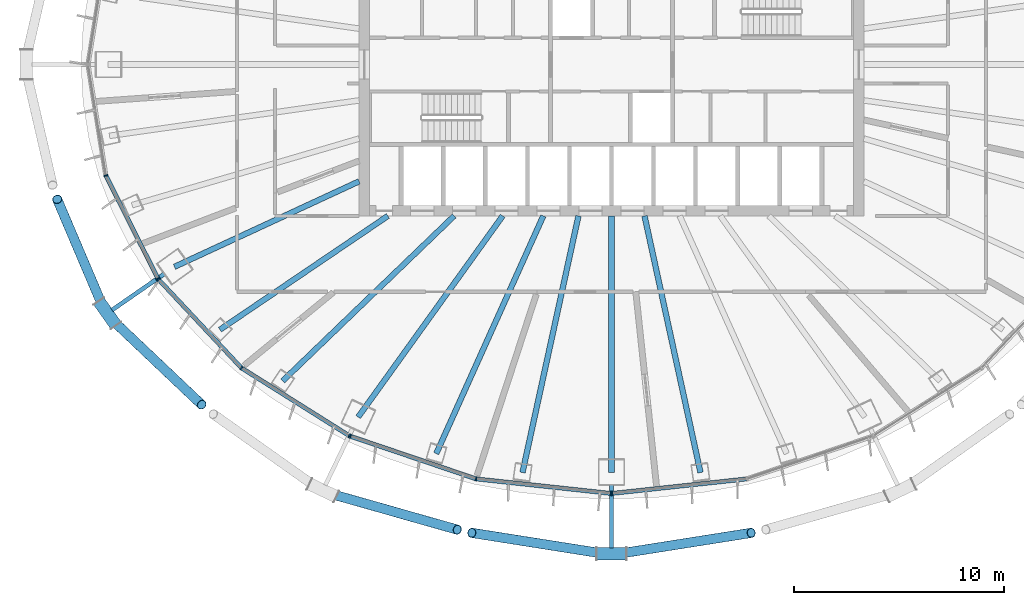
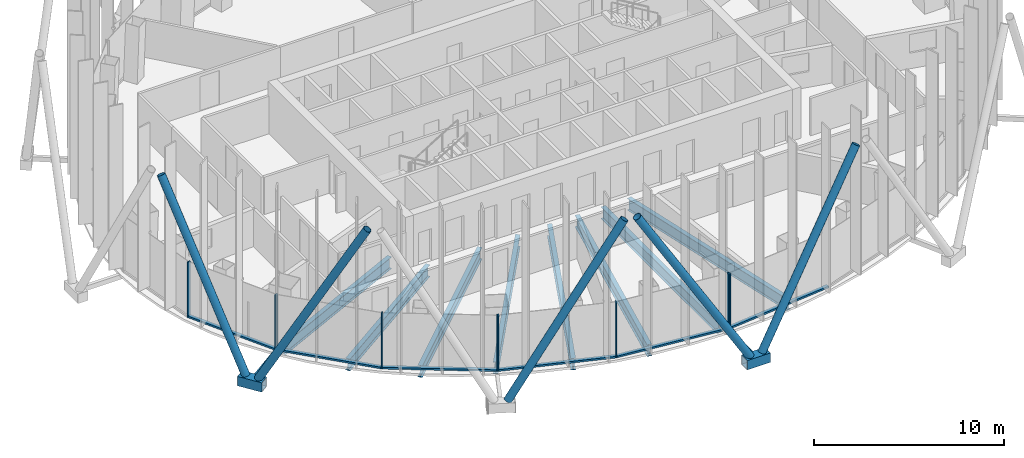
# One storey, part 2 of 19: 24 members, 8 beams, 4 elements without a shape of their own.
"""IFC4 building model written with IfcOpenShell, lengths in metres."""

from ifc_helpers import new_model, si_unit, direction, frame, origin, origin_2d, place, context, subcontext, project, spatial, rectangle, hollow_rectangle, hollow_circle, i_section, extrude, material, layer, layer_set, material_profile, profile_set, type_object, element, aggregate, save


model = new_model("IFC4")

# Units and contexts
model_context = context("Model", 3, precision=1e-05, world=origin(), true_north=direction((0.0, 1.0)))
body_context = subcontext(model_context, "Body", "Model", "MODEL_VIEW")
ifc_project = project(units=[si_unit("LENGTHUNIT", "METRE"), si_unit("AREAUNIT", "SQUARE_METRE"), si_unit("VOLUMEUNIT", "CUBIC_METRE"), si_unit("PLANEANGLEUNIT", "RADIAN"), si_unit("MASSUNIT", "GRAM", prefix="KILO")], contexts=[model_context])

# Site, building, storey
site_placement = place(None, origin())
site = spatial("IfcSite", under=ifc_project, at=site_placement, CompositionType="ELEMENT")
building_placement = place(site_placement, origin())
building = spatial("IfcBuilding", under=site, at=building_placement, Name="Siaravel Broadcast Tower", CompositionType="ELEMENT")
storey_placement = place(building_placement, frame((0.0, 0.0, 130.39990234375)))
storey = spatial("IfcBuildingStorey", under=building, at=storey_placement, Name="L31", CompositionType="ELEMENT", Elevation=130.39990234375)

# Beams
ifc_material_1 = material(Name="Steel S355", Category="steel")
ifc_material_profile_1 = material_profile(ifc_material_1, i_section(OverallWidth=0.26513671875, OverallDepth=0.75390625, WebThickness=0.0126953125, FlangeThickness=0.017578125, FilletRadius=0.0166015625, at=origin_2d()))
ifc_profile_set_1 = profile_set([ifc_material_profile_1], Name="Steel S355")
beam_type = type_object("IfcBeamType", Name="BM-UB 762x267x147", PredefinedType="BEAM", material=ifc_profile_set_1)
beam_1_placement = place(storey_placement, frame((-20.776611328125, -9.6171875, -0.52685546875), z_axis=(0.907486689, 0.420080837, 0.0), x_axis=(-0.420080837, 0.907486689, 0.0)))
element("IfcBeam", 1, at=beam_1_placement, inside=storey, type_object=beam_type, Name="Radial beam RB22", PredefinedType="BEAM", context=body_context, shape_type="SweptSolid", body=[
    extrude(i_section(OverallWidth=0.26513671875, OverallDepth=0.75390625, WebThickness=0.0126953125, FlangeThickness=0.017578125, FilletRadius=0.0166015625, at=origin_2d()), origin(), (0.0, 0.0, 1.0), 9.67138671875),
])
beam_2_placement = place(storey_placement, frame((-18.614501953125, -12.605712890625, -0.52685546875), z_axis=(0.827999857, 0.56072831, 0.0), x_axis=(-0.56072831, 0.827999857, 0.0)))
element("IfcBeam", 2, at=beam_2_placement, inside=storey, type_object=beam_type, Name="Radial beam RB23", PredefinedType="BEAM", context=body_context, shape_type="SweptSolid", body=[
    extrude(i_section(OverallWidth=0.26513671875, OverallDepth=0.75390625, WebThickness=0.0126953125, FlangeThickness=0.017578125, FilletRadius=0.0166015625, at=origin_2d()), origin(), (0.0, 0.0, 1.0), 9.640625),
])
beam_3_placement = place(storey_placement, frame((-15.63525390625, -15.0458984375, -0.52685546875), z_axis=(0.720548164, 0.693404891, 0.0), x_axis=(-0.693404891, 0.720548164, 0.0)))
element("IfcBeam", 3, at=beam_3_placement, inside=storey, type_object=beam_type, Name="Radial beam RB24", PredefinedType="BEAM", context=body_context, shape_type="SweptSolid", body=[
    extrude(i_section(OverallWidth=0.26513671875, OverallDepth=0.75390625, WebThickness=0.0126953125, FlangeThickness=0.017578125, FilletRadius=0.0166015625, at=origin_2d()), origin(), (0.0, 0.0, 1.0), 11.315185546875),
])
beam_4_placement = place(storey_placement, frame((-12.044189453125, -16.760498046875, -0.52685546875), z_axis=(0.583550585, 0.812076791, 0.0), x_axis=(-0.812076791, 0.583550585, 0.0)))
element("IfcBeam", 4, at=beam_4_placement, inside=storey, type_object=beam_type, Name="Radial beam RB25", PredefinedType="BEAM", context=body_context, shape_type="SweptSolid", body=[
    extrude(i_section(OverallWidth=0.26513671875, OverallDepth=0.75390625, WebThickness=0.0126953125, FlangeThickness=0.017578125, FilletRadius=0.0166015625, at=origin_2d()), origin(), (0.0, 0.0, 1.0), 11.77294921875),
])
beam_5_placement = place(storey_placement, frame((-8.331787109375, -18.49853515625, -0.52685546875), z_axis=(0.410666942, 0.911785426, 0.0), x_axis=(-0.911785426, 0.410666942, 0.0)))
element("IfcBeam", 5, at=beam_5_placement, inside=storey, type_object=beam_type, Name="Radial beam RB26", PredefinedType="BEAM", context=body_context, shape_type="SweptSolid", body=[
    extrude(i_section(OverallWidth=0.26513671875, OverallDepth=0.75390625, WebThickness=0.0126953125, FlangeThickness=0.017578125, FilletRadius=0.0166015625, at=origin_2d()), origin(), (0.0, 0.0, 1.0), 12.3916015625),
])
beam_6_placement = place(storey_placement, frame((-4.23193359375, -19.398193359375, -0.52685546875), z_axis=(0.213143997, 0.977020796, 0.0), x_axis=(-0.977020796, 0.213143997, 0.0)))
element("IfcBeam", 6, at=beam_6_placement, inside=storey, type_object=beam_type, Name="Radial beam RB27", PredefinedType="BEAM", context=body_context, shape_type="SweptSolid", body=[
    extrude(i_section(OverallWidth=0.26513671875, OverallDepth=0.75390625, WebThickness=0.0126953125, FlangeThickness=0.017578125, FilletRadius=0.0166015625, at=origin_2d()), origin(), (0.0, 0.0, 1.0), 12.485107421875),
])
beam_7_placement = place(storey_placement, frame((0.0, -19.401611328125, -0.52685546875), z_axis=(0.0, 1.0, 0.0), x_axis=(-1.0, 0.0, 0.0)))
element("IfcBeam", 7, at=beam_7_placement, inside=storey, type_object=beam_type, Name="Radial beam RB28", PredefinedType="BEAM", context=body_context, shape_type="SweptSolid", body=[
    extrude(i_section(OverallWidth=0.26513671875, OverallDepth=0.75390625, WebThickness=0.0126953125, FlangeThickness=0.017578125, FilletRadius=0.0166015625, at=origin_2d()), origin(), (0.0, 0.0, 1.0), 12.20166015625),
])
beam_8_placement = place(storey_placement, frame((4.23193359375, -19.398193359375, -0.52685546875), z_axis=(-0.213143997, 0.977020796, 0.0), x_axis=(-0.977020796, -0.213143997, 0.0)))
element("IfcBeam", 8, at=beam_8_placement, inside=storey, type_object=beam_type, Name="Radial beam RB29", PredefinedType="BEAM", context=body_context, shape_type="SweptSolid", body=[
    extrude(i_section(OverallWidth=0.26513671875, OverallDepth=0.75390625, WebThickness=0.0126953125, FlangeThickness=0.017578125, FilletRadius=0.0166015625, at=origin_2d()), origin(), (0.0, 0.0, 1.0), 12.485107421875),
])

# Curtain wall, members
ifc_material_2 = material(Name="Aluminium 6063-T6", Category="aluminium")
ifc_layer = layer(ifc_material_2, 0.199951171875)
ifc_layer_set = layer_set([ifc_layer], Name="Aluminium 6063-T6")
curtain_wall_type = type_object("IfcCurtainWallType", Name="Unitised curtain wall, zone 2", PredefinedType="NOTDEFINED", material=ifc_layer_set)
curtain_wall_1_placement = place(storey_placement, origin())
curtain_wall_1 = element("IfcCurtainWall", 9, at=curtain_wall_1_placement, inside=storey, type_object=curtain_wall_type, Name="L31 Unitised curtain wall, zone 2 07", PredefinedType="NOTDEFINED")
ifc_material_profile_2 = material_profile(ifc_material_2, rectangle(XDim=0.199951171875, YDim=0.06494140625, at=origin_2d()))
ifc_profile_set_2 = profile_set([ifc_material_profile_2], Name="Aluminium 6063-T6")
member_type_1 = type_object("IfcMemberType", Name="CW-Z2 mullion", PredefinedType="MULLION", material=ifc_profile_set_2)
member_1_placement = place(storey_placement, frame((-24.0380859375, -5.281005859375, 0.0), z_axis=(0.0, 0.0, 1.0), x_axis=(0.951177626, 0.308644007, 0.0)))
member_1 = element("IfcMember", 10, at=member_1_placement, type_object=member_type_1, Name="CW-Z2 mullion 2", PredefinedType="MULLION", context=body_context, shape_type="SweptSolid", body=[
    extrude(rectangle(XDim=0.199951171875, YDim=0.06494140625, at=origin_2d()), origin(), (0.0, 0.0, 1.0), 3.550048828125),
])
member_2_placement = place(storey_placement, frame((-21.56494140625, -10.172119140625, 0.0), z_axis=(0.0, 0.0, 1.0), x_axis=(0.892392954, 0.451259145, 0.0)))
member_2 = element("IfcMember", 11, at=member_2_placement, type_object=member_type_1, Name="CW-Z2 mullion 3", PredefinedType="MULLION", context=body_context, shape_type="SweptSolid", body=[
    extrude(rectangle(XDim=0.199951171875, YDim=0.06494140625, at=origin_2d()), origin(), (0.0, 0.0, 1.0), 3.550048828125),
])

curtain_wall_2_placement = place(storey_placement, origin())
curtain_wall_2 = element("IfcCurtainWall", 12, at=curtain_wall_2_placement, inside=storey, type_object=curtain_wall_type, Name="L31 Unitised curtain wall, zone 2 08", PredefinedType="NOTDEFINED")
member_3_placement = place(storey_placement, frame((-21.528076171875, -10.224609375, 0.0), z_axis=(0.0, 0.0, 1.0), x_axis=(0.729806913, 0.683653326, 0.0)))
member_3 = element("IfcMember", 13, at=member_3_placement, type_object=member_type_1, Name="CW-Z2 mullion 1", PredefinedType="MULLION", context=body_context, shape_type="SweptSolid", body=[
    extrude(rectangle(XDim=0.199951171875, YDim=0.06494140625, at=origin_2d()), origin(), (0.0, 0.0, 1.0), 3.550048828125),
])
member_4_placement = place(storey_placement, frame((-17.593994140625, -14.42431640625, 0.0), z_axis=(0.0, 0.0, 1.0), x_axis=(0.63622045, 0.771507317, 0.0)))
member_4 = element("IfcMember", 14, at=member_4_placement, type_object=member_type_1, Name="CW-Z2 mullion 2", PredefinedType="MULLION", context=body_context, shape_type="SweptSolid", body=[
    extrude(rectangle(XDim=0.199951171875, YDim=0.06494140625, at=origin_2d()), origin(), (0.0, 0.0, 1.0), 3.550048828125),
])
member_5_placement = place(storey_placement, frame((-12.46728515625, -17.646484375, 0.0), z_axis=(0.0, 0.0, 1.0), x_axis=(0.532151141, 0.846649374, 0.0)))
member_5 = element("IfcMember", 15, at=member_5_placement, type_object=member_type_1, Name="CW-Z2 mullion 3", PredefinedType="MULLION", context=body_context, shape_type="SweptSolid", body=[
    extrude(rectangle(XDim=0.199951171875, YDim=0.06494140625, at=origin_2d()), origin(), (0.0, 0.0, 1.0), 3.550048828125),
])

curtain_wall_3_placement = place(storey_placement, origin())
curtain_wall_3 = element("IfcCurtainWall", 16, at=curtain_wall_3_placement, inside=storey, type_object=curtain_wall_type, Name="L31 Unitised curtain wall, zone 2 09", PredefinedType="NOTDEFINED")
member_6_placement = place(storey_placement, frame((-12.408935546875, -17.67431640625, 0.0), z_axis=(0.0, 0.0, 1.0), x_axis=(0.321302097, 0.946976749, 0.0)))
member_6 = element("IfcMember", 17, at=member_6_placement, type_object=member_type_1, Name="CW-Z2 mullion 1", PredefinedType="MULLION", context=body_context, shape_type="SweptSolid", body=[
    extrude(rectangle(XDim=0.199951171875, YDim=0.06494140625, at=origin_2d()), origin(), (0.0, 0.0, 1.0), 3.550048828125),
])
member_7_placement = place(storey_placement, frame((-6.43896484375, -19.699951171875, 0.0), z_axis=(0.0, 0.0, 1.0), x_axis=(0.215559096, 0.976490797, 0.0)))
member_7 = element("IfcMember", 18, at=member_7_placement, type_object=member_type_1, Name="CW-Z2 mullion 2", PredefinedType="MULLION", context=body_context, shape_type="SweptSolid", body=[
    extrude(rectangle(XDim=0.199951171875, YDim=0.06494140625, at=origin_2d()), origin(), (0.0, 0.0, 1.0), 3.550048828125),
])
member_8_placement = place(storey_placement, frame((-0.0322265625, -20.390869140625, 0.0), z_axis=(0.0, 0.0, 1.0), x_axis=(0.107218035, 0.994235532, 0.0)))
member_8 = element("IfcMember", 19, at=member_8_placement, type_object=member_type_1, Name="CW-Z2 mullion 3", PredefinedType="MULLION", context=body_context, shape_type="SweptSolid", body=[
    extrude(rectangle(XDim=0.199951171875, YDim=0.06494140625, at=origin_2d()), origin(), (0.0, 0.0, 1.0), 3.550048828125),
])

# Curtain wall, member
curtain_wall_4_placement = place(storey_placement, origin())
curtain_wall_4 = element("IfcCurtainWall", 20, at=curtain_wall_4_placement, inside=storey, type_object=curtain_wall_type, Name="L31 Unitised curtain wall, zone 2 10", PredefinedType="NOTDEFINED")
member_9_placement = place(storey_placement, frame((0.0322265625, -20.390869140625, 0.0), z_axis=(0.0, 0.0, 1.0), x_axis=(-0.107218035, 0.994235532, 0.0)))
member_9 = element("IfcMember", 21, at=member_9_placement, type_object=member_type_1, Name="CW-Z2 mullion 1", PredefinedType="MULLION", context=body_context, shape_type="SweptSolid", body=[
    extrude(rectangle(XDim=0.199951171875, YDim=0.06494140625, at=origin_2d()), origin(), (0.0, 0.0, 1.0), 3.550048828125),
])

# Member
ifc_material_profile_3 = material_profile(ifc_material_2, rectangle(XDim=0.199951171875, YDim=0.110107421875, at=origin_2d()))
ifc_profile_set_3 = profile_set([ifc_material_profile_3], Name="Aluminium 6063-T6")
member_type_2 = type_object("IfcMemberType", Name="CW-Z2 transom", PredefinedType="USERDEFINED", material=ifc_profile_set_3)
member_10_placement = place(storey_placement, frame((-24.0234375, -5.31005859375, 0.05517578125), z_axis=(0.45124818, -0.892398498, 0.0), x_axis=(0.892398498, 0.45124818, 0.0)))
member_10 = element("IfcMember", 22, at=member_10_placement, type_object=member_type_2, Name="CW-Z2 transom 2", ObjectType="TRANSOM", PredefinedType="USERDEFINED", context=body_context, shape_type="SweptSolid", body=[
    extrude(rectangle(XDim=0.199951171875, YDim=0.110107421875, at=origin_2d()), origin(), (0.0, 0.0, 1.0), 5.415771484375),
])

aggregate(curtain_wall_1, [member_1, member_2, member_10])

member_11_placement = place(storey_placement, frame((-21.505859375, -10.248291015625, 0.05517578125), z_axis=(0.683644181, -0.72981548, 0.0), x_axis=(0.72981548, 0.683644181, 0.0)))
member_11 = element("IfcMember", 23, at=member_11_placement, type_object=member_type_2, Name="CW-Z2 transom 1", ObjectType="TRANSOM", PredefinedType="USERDEFINED", context=body_context, shape_type="SweptSolid", body=[
    extrude(rectangle(XDim=0.199951171875, YDim=0.110107421875, at=origin_2d()), origin(), (0.0, 0.0, 1.0), 5.689697265625),
])

member_12_placement = place(storey_placement, frame((-17.56640625, -14.441650390625, 0.05517578125), z_axis=(0.84664232, -0.532162364, 0.0), x_axis=(0.532162364, 0.84664232, 0.0)))
member_12 = element("IfcMember", 24, at=member_12_placement, type_object=member_type_2, Name="CW-Z2 transom 2", ObjectType="TRANSOM", PredefinedType="USERDEFINED", context=body_context, shape_type="SweptSolid", body=[
    extrude(rectangle(XDim=0.199951171875, YDim=0.110107421875, at=origin_2d()), origin(), (0.0, 0.0, 1.0), 5.990234375),
])

aggregate(curtain_wall_2, [member_3, member_4, member_5, member_11, member_12])

member_13_placement = place(storey_placement, frame((-12.37841796875, -17.684814453125, 0.05517578125), z_axis=(0.946983377, -0.32128256, 0.0), x_axis=(0.32128256, 0.946983377, 0.0)))
member_13 = element("IfcMember", 25, at=member_13_placement, type_object=member_type_2, Name="CW-Z2 transom 1", ObjectType="TRANSOM", PredefinedType="USERDEFINED", context=body_context, shape_type="SweptSolid", body=[
    extrude(rectangle(XDim=0.199951171875, YDim=0.110107421875, at=origin_2d()), origin(), (0.0, 0.0, 1.0), 6.239501953125),
])

member_14_placement = place(storey_placement, frame((-6.40673828125, -19.703369140625, 0.05517578125), z_axis=(0.994236965, -0.107204748, 0.0), x_axis=(0.107204748, 0.994236965, 0.0)))
member_14 = element("IfcMember", 26, at=member_14_placement, type_object=member_type_2, Name="CW-Z2 transom 2", ObjectType="TRANSOM", PredefinedType="USERDEFINED", context=body_context, shape_type="SweptSolid", body=[
    extrude(rectangle(XDim=0.199951171875, YDim=0.110107421875, at=origin_2d()), origin(), (0.0, 0.0, 1.0), 6.37890625),
])

aggregate(curtain_wall_3, [member_6, member_7, member_8, member_13, member_14])

member_15_placement = place(storey_placement, frame((0.064697265625, -20.38720703125, 0.05517578125), z_axis=(0.994236965, 0.107204748, 0.0), x_axis=(-0.107204748, 0.994236965, 0.0)))
member_15 = element("IfcMember", 27, at=member_15_placement, type_object=member_type_2, Name="CW-Z2 transom 1", ObjectType="TRANSOM", PredefinedType="USERDEFINED", context=body_context, shape_type="SweptSolid", body=[
    extrude(rectangle(XDim=0.199951171875, YDim=0.110107421875, at=origin_2d()), origin(), (0.0, 0.0, 1.0), 6.37890625),
])

aggregate(curtain_wall_4, [member_9, member_15])

# Members
ifc_material_3 = material(Name="Steel S460", Category="steel")
ifc_material_profile_4 = material_profile(ifc_material_3, hollow_circle(Radius=0.228515625, WallThickness=0.02001953125, at=origin_2d()))
ifc_profile_set_4 = profile_set([ifc_material_profile_4], Name="Steel S460")
member_type_3 = type_object("IfcMemberType", Name="Diagrid diagonal CHS 457x20", PredefinedType="BRACE", material=ifc_profile_set_4)
member_16_placement = place(storey_placement, frame((-24.169677734375, -11.540283203125, 0.070068359375), z_axis=(-0.182781146, 0.429773854, 0.884242889), x_axis=(-0.920232801, -0.391371425, 0.0)))
element("IfcMember", 28, at=member_16_placement, inside=storey, type_object=member_type_3, Name="Diagrid diagonal R13 station 42C", PredefinedType="BRACE", context=body_context, shape_type="SweptSolid", body=[
    extrude(hollow_circle(Radius=0.228515625, WallThickness=0.02001953125, at=origin_2d()), origin(), (0.0, 0.0, 1.0), 11.9423828125),
])
member_17_placement = place(storey_placement, frame((-23.764892578125, -12.114501953125, 0.070068359375), z_axis=(0.354065042, -0.335598928, 0.872932589), x_axis=(0.687927073, 0.725779817, 0.0)))
element("IfcMember", 29, at=member_17_placement, inside=storey, type_object=member_type_3, Name="Diagrid diagonal R13 station 42A", PredefinedType="BRACE", context=body_context, shape_type="SweptSolid", body=[
    extrude(hollow_circle(Radius=0.228515625, WallThickness=0.02001953125, at=origin_2d()), origin(), (0.0, 0.0, 1.0), 12.09716796875),
])
member_18_placement = place(storey_placement, frame((-13.404541015625, -20.391845703125, 0.070068359375), z_axis=(0.493780436, -0.140062529, 0.858232701), x_axis=(0.27288765, 0.962045909, 0.0)))
element("IfcMember", 30, at=member_18_placement, inside=storey, type_object=member_type_3, Name="Diagrid diagonal R13 station 48A", PredefinedType="BRACE", context=body_context, shape_type="SweptSolid", body=[
    extrude(hollow_circle(Radius=0.228515625, WallThickness=0.02001953125, at=origin_2d()), origin(), (0.0, 0.0, 1.0), 12.304443359375),
])
for number, where, z_axis, x_axis, name in (
    (31, (-0.351318359375, -23.2587890625, 0.070068359375), (-0.510138536, 0.080515889, 0.856315284), (-0.155901551, -0.987772599, 0.0), "Diagrid diagonal R13 station 54C"),
    (32, (0.351318359375, -23.2587890625, 0.070068359375), (0.510138536, 0.080515889, 0.856315284), (-0.155901551, 0.987772599, 0.0), "Diagrid diagonal R13 station 54A"),
):
    element("IfcMember", number, at=place(storey_placement, frame(where, z_axis=z_axis, x_axis=x_axis)), inside=storey, type_object=member_type_3, Name=name, PredefinedType="BRACE", context=body_context, shape_type="SweptSolid", body=[
        extrude(hollow_circle(Radius=0.228515625, WallThickness=0.02001953125, at=origin_2d()), origin(), (0.0, 0.0, 1.0), 12.33203125),
    ])
ifc_material_profile_5 = material_profile(ifc_material_3, hollow_rectangle(XDim=0.60009765625, YDim=0.60009765625, WallThickness=0.0400390625, at=origin_2d()))
ifc_profile_set_5 = profile_set([ifc_material_profile_5], Name="Steel S460")
member_type_4 = type_object("IfcMemberType", Name="Diagrid node BOX 600x600x40", PredefinedType="USERDEFINED", material=ifc_profile_set_5)
member_19_placement = place(storey_placement, frame((-24.37060546875, -11.25537109375, -0.199951171875), z_axis=(0.576128367, -0.817359227, 0.0), x_axis=(0.817359227, 0.576128367, 0.0)))
element("IfcMember", 33, at=member_19_placement, inside=storey, type_object=member_type_4, Name="Diagrid node R13 station 42", ObjectType="DIAGRID NODE", PredefinedType="USERDEFINED", context=body_context, shape_type="SweptSolid", body=[
    extrude(hollow_rectangle(XDim=0.60009765625, YDim=0.60009765625, WallThickness=0.0400390625, at=origin_2d()), origin(), (0.0, 0.0, 1.0), 1.399658203125),
])
member_20_placement = place(storey_placement, frame((-0.699951171875, -23.2587890625, -0.199951171875), z_axis=(1.0, 0.0, 0.0), x_axis=(0.0, 1.0, 0.0)))
element("IfcMember", 34, at=member_20_placement, inside=storey, type_object=member_type_4, Name="Diagrid node R13 station 54", ObjectType="DIAGRID NODE", PredefinedType="USERDEFINED", context=body_context, shape_type="SweptSolid", body=[
    extrude(hollow_rectangle(XDim=0.60009765625, YDim=0.60009765625, WallThickness=0.0400390625, at=origin_2d()), origin(), (0.0, 0.0, 1.0), 1.39990234375),
])
ifc_material_profile_6 = material_profile(ifc_material_3, hollow_rectangle(XDim=0.199951171875, YDim=0.300048828125, WallThickness=0.012451171875, at=origin_2d()))
ifc_profile_set_6 = profile_set([ifc_material_profile_6], Name="Steel S460")
member_type_5 = type_object("IfcMemberType", Name="Diagrid node arm RHS 300x200x12.5", PredefinedType="STRUT", material=ifc_profile_set_6)
member_21_placement = place(storey_placement, frame((-21.265869140625, -9.955810546875, -0.199951171875), z_axis=(-0.822005667, -0.56947931, 0.0), x_axis=(0.56947931, -0.822005667, 0.0)))
element("IfcMember", 35, at=member_21_placement, inside=storey, type_object=member_type_5, Name="Node arm R13 station 42", PredefinedType="STRUT", context=body_context, shape_type="SweptSolid", body=[
    extrude(hollow_rectangle(XDim=0.199951171875, YDim=0.300048828125, WallThickness=0.012451171875, at=origin_2d()), origin(), (0.0, 0.0, 1.0), 3.016357421875),
])
member_22_placement = place(storey_placement, frame((0.0, -19.99658203125, -0.199951171875), z_axis=(0.0, -1.0, 0.0), x_axis=(1.0, 0.0, 0.0)))
element("IfcMember", 36, at=member_22_placement, inside=storey, type_object=member_type_5, Name="Node arm R13 station 54", PredefinedType="STRUT", context=body_context, shape_type="SweptSolid", body=[
    extrude(hollow_rectangle(XDim=0.199951171875, YDim=0.300048828125, WallThickness=0.012451171875, at=origin_2d()), origin(), (0.0, 0.0, 1.0), 2.992431640625),
])

save(model, "model.ifc")
